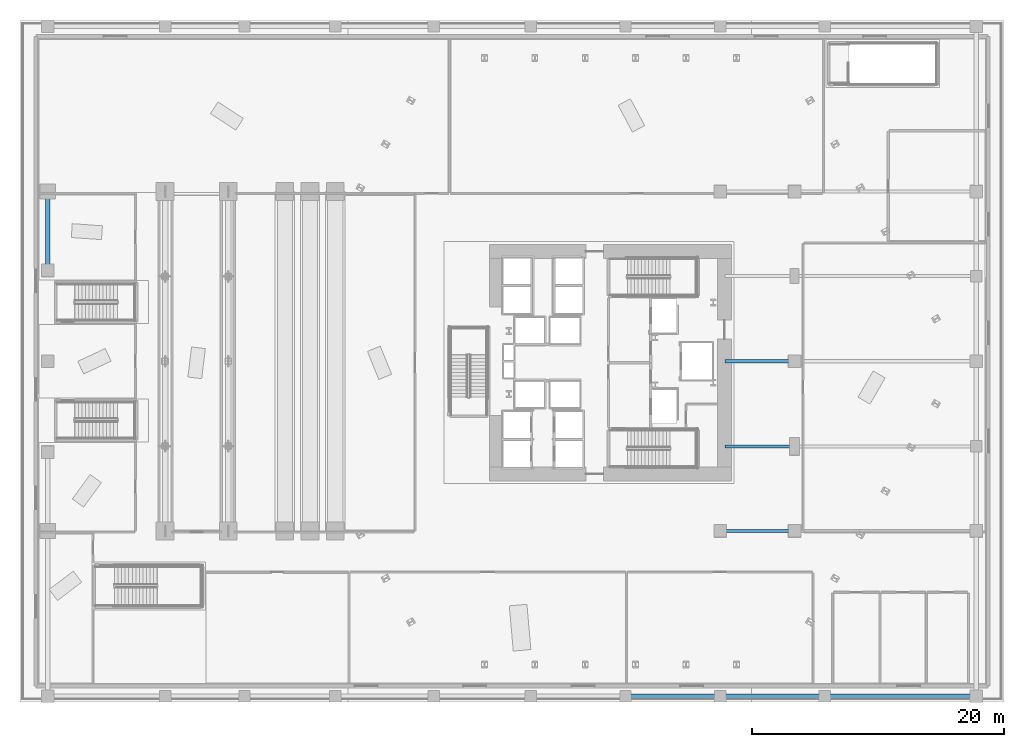
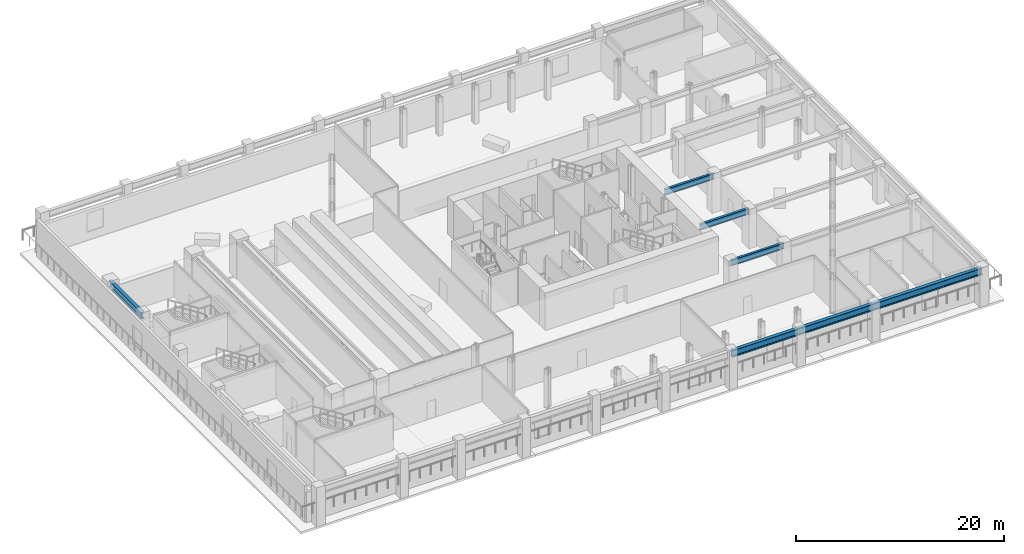
# One storey, part 3 of 24: 5 beams.
"""IFC4 building model written with IfcOpenShell, lengths in metres."""

from ifc_helpers import new_model, si_unit, direction, frame, origin, origin_2d, place, context, subcontext, project, spatial, i_section, extrude, material, material_profile, profile_set, type_object, element, save


model = new_model("IFC4")

# Units and contexts
model_context = context("Model", 3, precision=1e-05, world=origin(), true_north=direction((0.0, 1.0)))
body_context = subcontext(model_context, "Body", "Model", "MODEL_VIEW")
ifc_project = project(units=[si_unit("LENGTHUNIT", "METRE"), si_unit("AREAUNIT", "SQUARE_METRE"), si_unit("VOLUMEUNIT", "CUBIC_METRE"), si_unit("PLANEANGLEUNIT", "RADIAN"), si_unit("MASSUNIT", "GRAM", prefix="KILO")], contexts=[model_context])

# Site, building, storey
site_placement = place(None, origin())
site = spatial("IfcSite", under=ifc_project, at=site_placement, CompositionType="ELEMENT")
building_placement = place(site_placement, origin())
building = spatial("IfcBuilding", under=site, at=building_placement, Name="Valkerne Bourse Tower", CompositionType="ELEMENT")
storey_placement = place(building_placement, frame((0.0, 0.0, 19.39990234375)))
storey = spatial("IfcBuildingStorey", under=building, at=storey_placement, Name="L04", CompositionType="ELEMENT", Elevation=19.39990234375)

# Beams
ifc_material = material(Name="Steel ASTM A992", Category="steel")
ifc_material_profile_1 = material_profile(ifc_material, i_section(OverallWidth=0.255859375, OverallDepth=0.693359375, WebThickness=0.014404296875, FlangeThickness=0.023681640625, FilletRadius=0.02294921875, at=origin_2d()), Name="W27X114")
ifc_profile_set_1 = profile_set([ifc_material_profile_1], Name="Steel ASTM A992")
beam_type_1 = type_object("IfcBeamType", Name="BM-W27X114", PredefinedType="BEAM", material=ifc_profile_set_1)
beam_1_placement = place(storey_placement, frame((55.5, 13.550048828125, 3.953369140625), z_axis=(1.0, 0.0, 0.0), x_axis=(0.0, 1.0, 0.0)))
element("IfcBeam", 1, at=beam_1_placement, inside=storey, type_object=beam_type_1, Name="L04 East Wing Floor Girder 1 Y13", PredefinedType="BEAM", context=body_context, shape_type="SweptSolid", body=[
    extrude(i_section(OverallWidth=0.255859375, OverallDepth=0.693359375, WebThickness=0.014404296875, FlangeThickness=0.023681640625, FilletRadius=0.02294921875, at=origin_2d()), origin(), (0.0, 0.0, 1.0), 5.89990234375),
])
for number, where, z_axis, x_axis, name in (
    (2, (55.89990234375, 20.25, 3.953369140625), (1.0, 0.0, 0.0), (0.0, 1.0, 0.0), "L04 East Wing Floor Girder 1 Y20"),
    (3, (55.89990234375, 27.0, 3.953369140625), (1.0, 0.0, 0.0), (0.0, 1.0, 0.0), "L04 East Wing Floor Girder 1 Y27"),
):
    element("IfcBeam", number, at=place(storey_placement, frame(where, z_axis=z_axis, x_axis=x_axis)), inside=storey, type_object=beam_type_1, Name=name, PredefinedType="BEAM", context=body_context, shape_type="SweptSolid", body=[
        extrude(i_section(OverallWidth=0.255859375, OverallDepth=0.693359375, WebThickness=0.014404296875, FlangeThickness=0.023681640625, FilletRadius=0.02294921875, at=origin_2d()), origin(), (0.0, 0.0, 1.0), 5.5),
    ])
ifc_material_profile_2 = material_profile(ifc_material, i_section(OverallWidth=0.383544921875, OverallDepth=0.784912109375, WebThickness=0.019775390625, FlangeThickness=0.033447265625, FilletRadius=0.025390625, at=origin_2d()), Name="W30X211")
ifc_profile_set_2 = profile_set([ifc_material_profile_2], Name="Steel ASTM A992")
beam_type_2 = type_object("IfcBeamType", Name="BM-W30X211", PredefinedType="SPANDREL", material=ifc_profile_set_2)
beam_2_placement = place(storey_placement, frame((48.0, 0.449951171875, 3.90771484375), z_axis=(1.0, 0.0, 0.0), x_axis=(0.0, 1.0, 0.0)))
element("IfcBeam", 4, at=beam_2_placement, inside=storey, type_object=beam_type_2, Name="L04 Podium Spandrel Girder S3", PredefinedType="SPANDREL", context=body_context, shape_type="SweptSolid", body=[
    extrude(i_section(OverallWidth=0.383544921875, OverallDepth=0.784912109375, WebThickness=0.019775390625, FlangeThickness=0.033447265625, FilletRadius=0.025390625, at=origin_2d()), origin(), (0.0, 0.0, 1.0), 27.800048828125),
])
beam_3_placement = place(storey_placement, frame((2.199951171875, 34.199951171875, 3.90771484375), z_axis=(0.0, 1.0, 0.0), x_axis=(-1.0, 0.0, 0.0)))
element("IfcBeam", 5, at=beam_3_placement, inside=storey, type_object=beam_type_2, Name="L04 Podium Spandrel Girder W2", PredefinedType="SPANDREL", context=body_context, shape_type="SweptSolid", body=[
    extrude(i_section(OverallWidth=0.383544921875, OverallDepth=0.784912109375, WebThickness=0.019775390625, FlangeThickness=0.033447265625, FilletRadius=0.025390625, at=origin_2d()), origin(), (0.0, 0.0, 1.0), 6.25),
])

save(model, "model.ifc")
